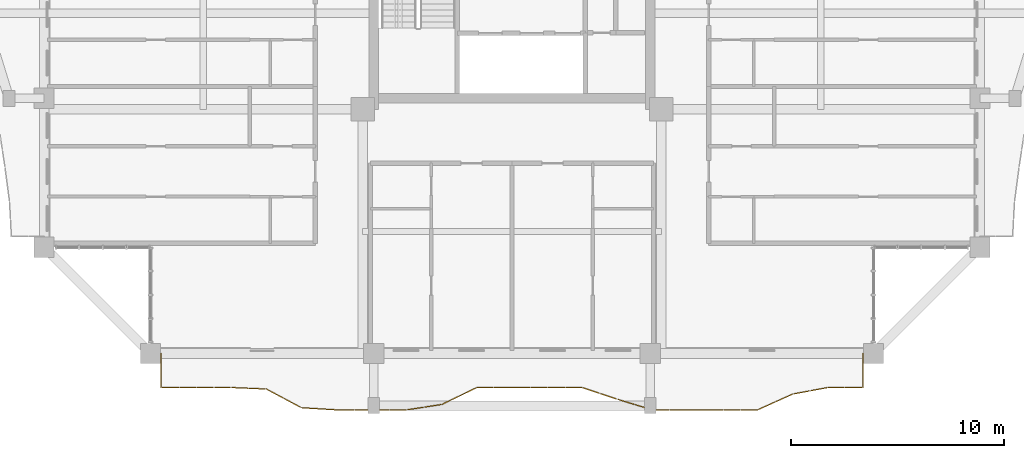
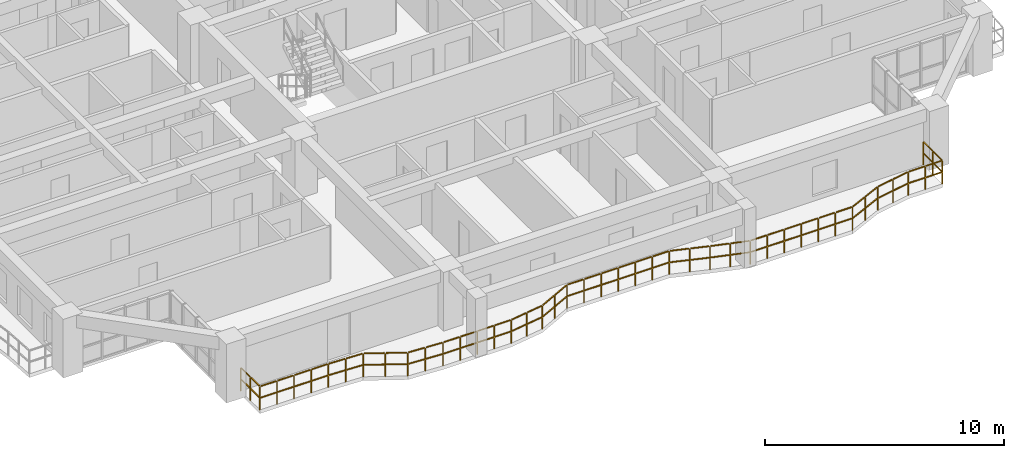
# One storey, part 19 of 23: 1 railing.
"""IFC4 building model written with IfcOpenShell, lengths in metres."""

from ifc_helpers import new_model, si_unit, direction, frame, origin, origin_2d, place, context, subcontext, project, spatial, rectangle, extrude, material, type_object, element, save


model = new_model("IFC4")

# Units and contexts
model_context = context("Model", 3, precision=1e-05, world=origin(), true_north=direction((0.0, 1.0)))
body_context = subcontext(model_context, "Body", "Model", "MODEL_VIEW")
ifc_project = project(units=[si_unit("LENGTHUNIT", "METRE"), si_unit("AREAUNIT", "SQUARE_METRE"), si_unit("VOLUMEUNIT", "CUBIC_METRE"), si_unit("PLANEANGLEUNIT", "RADIAN"), si_unit("MASSUNIT", "GRAM", prefix="KILO")], contexts=[model_context])

# Site, building, storey
site_placement = place(None, origin())
site = spatial("IfcSite", under=ifc_project, at=site_placement, CompositionType="ELEMENT")
building_placement = place(site_placement, origin())
building = spatial("IfcBuilding", under=site, at=building_placement, Name="Saelheon Loggia Tower", CompositionType="ELEMENT")
storey_placement = place(building_placement, frame((0.0, 0.0, 156.10009765625)))
storey = spatial("IfcBuildingStorey", under=building, at=storey_placement, Name="L49", CompositionType="ELEMENT", Elevation=156.10009765625)

# Railing
ifc_material = material(Name="Architectural Precast Concrete and Laminated Glass Guard", Category="concrete")
railing_type = type_object("IfcRailingType", Name="Guard_Loggia_RL_LOG", PredefinedType="BALUSTRADE", material=ifc_material)
railing_placement = place(storey_placement, frame((21.5, 6.0, 0.0)))
element("IfcRailing", 1, at=railing_placement, inside=storey, type_object=railing_type, Name="L49 South Loggia Balustrade", PredefinedType="BALUSTRADE", context=body_context, shape_type="SweptSolid", body=[
    extrude(rectangle(XDim=0.048095703125, YDim=0.048095703125, at=origin_2d()), frame((0.0, -0.033203125, 1.19580078125), z_axis=(0.0, -1.0, 0.0), x_axis=(1.0, 0.0, 0.0)), (0.0, 0.0, 1.0), 0.733642578125),
    extrude(rectangle(XDim=0.048095703125, YDim=0.048095703125, at=origin_2d()), frame((0.0, -0.033203125, 0.60986328125), z_axis=(0.0, -1.0, 0.0), x_axis=(1.0, 0.0, 0.0)), (0.0, 0.0, 1.0), 0.733642578125),
    extrude(rectangle(XDim=0.048095703125, YDim=0.048095703125, at=origin_2d()), frame((0.0, -0.833251953125, 1.19580078125), z_axis=(0.0, -1.0, 0.0), x_axis=(1.0, 0.0, 0.0)), (0.0, 0.0, 1.0), 0.733642578125),
    extrude(rectangle(XDim=0.048095703125, YDim=0.048095703125, at=origin_2d()), frame((0.0, -0.833251953125, 0.60986328125), z_axis=(0.0, -1.0, 0.0), x_axis=(1.0, 0.0, 0.0)), (0.0, 0.0, 1.0), 0.733642578125),
    extrude(rectangle(XDim=0.048095703125, YDim=0.048095703125, at=origin_2d()), frame((0.033203125, -1.60009765625, 1.19580078125), z_axis=(1.0, 0.0, 0.0), x_axis=(0.0, 1.0, 0.0)), (0.0, 0.0, 1.0), 0.758544921875),
    extrude(rectangle(XDim=0.048095703125, YDim=0.048095703125, at=origin_2d()), frame((0.033203125, -1.60009765625, 0.60986328125), z_axis=(1.0, 0.0, 0.0), x_axis=(0.0, 1.0, 0.0)), (0.0, 0.0, 1.0), 0.758544921875),
    extrude(rectangle(XDim=0.048095703125, YDim=0.048095703125, at=origin_2d()), frame((0.858154296875, -1.60009765625, 1.19580078125), z_axis=(1.0, 0.0, 0.0), x_axis=(0.0, 1.0, 0.0)), (0.0, 0.0, 1.0), 0.758544921875),
    extrude(rectangle(XDim=0.048095703125, YDim=0.048095703125, at=origin_2d()), frame((0.858154296875, -1.60009765625, 0.60986328125), z_axis=(1.0, 0.0, 0.0), x_axis=(0.0, 1.0, 0.0)), (0.0, 0.0, 1.0), 0.758544921875),
    extrude(rectangle(XDim=0.048095703125, YDim=0.048095703125, at=origin_2d()), frame((1.68310546875, -1.60009765625, 1.19580078125), z_axis=(1.0, 0.0, 0.0), x_axis=(0.0, 1.0, 0.0)), (0.0, 0.0, 1.0), 0.758544921875),
    extrude(rectangle(XDim=0.048095703125, YDim=0.048095703125, at=origin_2d()), frame((1.68310546875, -1.60009765625, 0.60986328125), z_axis=(1.0, 0.0, 0.0), x_axis=(0.0, 1.0, 0.0)), (0.0, 0.0, 1.0), 0.758544921875),
    extrude(rectangle(XDim=0.048095703125, YDim=0.048095703125, at=origin_2d()), frame((2.50830078125, -1.60009765625, 1.19580078125), z_axis=(1.0, 0.0, 0.0), x_axis=(0.0, 1.0, 0.0)), (0.0, 0.0, 1.0), 0.758544921875),
    extrude(rectangle(XDim=0.048095703125, YDim=0.048095703125, at=origin_2d()), frame((2.50830078125, -1.60009765625, 0.60986328125), z_axis=(1.0, 0.0, 0.0), x_axis=(0.0, 1.0, 0.0)), (0.0, 0.0, 1.0), 0.758544921875),
    extrude(rectangle(XDim=0.048095703125, YDim=0.048095703125, at=origin_2d()), frame((3.333251953125, -1.6015625, 1.19580078125), z_axis=(0.999067837233, -0.043167772784, 0.0), x_axis=(0.043167772784, 0.999067837233, 0.0)), (0.0, 0.0, 1.0), 0.75927734375),
    extrude(rectangle(XDim=0.048095703125, YDim=0.048095703125, at=origin_2d()), frame((3.333251953125, -1.6015625, 0.60986328125), z_axis=(0.999067837233, -0.043167772784, 0.0), x_axis=(0.043167772784, 0.999067837233, 0.0)), (0.0, 0.0, 1.0), 0.75927734375),
    extrude(rectangle(XDim=0.048095703125, YDim=0.048095703125, at=origin_2d()), frame((4.158203125, -1.63720703125, 1.19580078125), z_axis=(0.999067837233, -0.043167772784, 0.0), x_axis=(0.043167772784, 0.999067837233, 0.0)), (0.0, 0.0, 1.0), 0.75927734375),
    extrude(rectangle(XDim=0.048095703125, YDim=0.048095703125, at=origin_2d()), frame((4.158203125, -1.63720703125, 0.60986328125), z_axis=(0.999067837233, -0.043167772784, 0.0), x_axis=(0.043167772784, 0.999067837233, 0.0)), (0.0, 0.0, 1.0), 0.75927734375),
    extrude(rectangle(XDim=0.048095703125, YDim=0.048095703125, at=origin_2d()), frame((4.979248046875, -1.68701171875, 1.19580078125), z_axis=(0.882342099977, -0.470608561979, 0.0), x_axis=(0.470608561979, 0.882342099977, 0.0)), (0.0, 0.0, 1.0), 0.86865234375),
    extrude(rectangle(XDim=0.048095703125, YDim=0.048095703125, at=origin_2d()), frame((4.979248046875, -1.68701171875, 0.60986328125), z_axis=(0.882342099977, -0.470608561979, 0.0), x_axis=(0.470608561979, 0.882342099977, 0.0)), (0.0, 0.0, 1.0), 0.86865234375),
    extrude(rectangle(XDim=0.048095703125, YDim=0.048095703125, at=origin_2d()), frame((5.804443359375, -2.127197265625, 1.19580078125), z_axis=(0.882342099977, -0.470608561979, 0.0), x_axis=(0.470608561979, 0.882342099977, 0.0)), (0.0, 0.0, 1.0), 0.86865234375),
    extrude(rectangle(XDim=0.048095703125, YDim=0.048095703125, at=origin_2d()), frame((5.804443359375, -2.127197265625, 0.60986328125), z_axis=(0.882342099977, -0.470608561979, 0.0), x_axis=(0.470608561979, 0.882342099977, 0.0)), (0.0, 0.0, 1.0), 0.86865234375),
    extrude(rectangle(XDim=0.048095703125, YDim=0.048095703125, at=origin_2d()), frame((6.63330078125, -2.553466796875, 1.19580078125), z_axis=(0.998226679192, -0.059527279034, 0.0), x_axis=(0.059527279034, 0.998226679192, 0.0)), (0.0, 0.0, 1.0), 0.760009765625),
    extrude(rectangle(XDim=0.048095703125, YDim=0.048095703125, at=origin_2d()), frame((6.63330078125, -2.553466796875, 0.60986328125), z_axis=(0.998226679192, -0.059527279034, 0.0), x_axis=(0.059527279034, 0.998226679192, 0.0)), (0.0, 0.0, 1.0), 0.760009765625),
    extrude(rectangle(XDim=0.048095703125, YDim=0.048095703125, at=origin_2d()), frame((7.458251953125, -2.602783203125, 1.19580078125), z_axis=(0.998226679192, -0.059527279034, 0.0), x_axis=(0.059527279034, 0.998226679192, 0.0)), (0.0, 0.0, 1.0), 0.760009765625),
    extrude(rectangle(XDim=0.048095703125, YDim=0.048095703125, at=origin_2d()), frame((7.458251953125, -2.602783203125, 0.60986328125), z_axis=(0.998226679192, -0.059527279034, 0.0), x_axis=(0.059527279034, 0.998226679192, 0.0)), (0.0, 0.0, 1.0), 0.760009765625),
    extrude(rectangle(XDim=0.048095703125, YDim=0.048095703125, at=origin_2d()), frame((8.283203125, -2.64990234375, 1.19580078125), z_axis=(1.0, 0.0, 0.0), x_axis=(0.0, 1.0, 0.0)), (0.0, 0.0, 1.0), 0.758544921875),
    extrude(rectangle(XDim=0.048095703125, YDim=0.048095703125, at=origin_2d()), frame((8.283203125, -2.64990234375, 0.60986328125), z_axis=(1.0, 0.0, 0.0), x_axis=(0.0, 1.0, 0.0)), (0.0, 0.0, 1.0), 0.758544921875),
    extrude(rectangle(XDim=0.048095703125, YDim=0.048095703125, at=origin_2d()), frame((9.108154296875, -2.64990234375, 1.19580078125), z_axis=(1.0, 0.0, 0.0), x_axis=(0.0, 1.0, 0.0)), (0.0, 0.0, 1.0), 0.758544921875),
    extrude(rectangle(XDim=0.048095703125, YDim=0.048095703125, at=origin_2d()), frame((9.108154296875, -2.64990234375, 0.60986328125), z_axis=(1.0, 0.0, 0.0), x_axis=(0.0, 1.0, 0.0)), (0.0, 0.0, 1.0), 0.758544921875),
    extrude(rectangle(XDim=0.048095703125, YDim=0.048095703125, at=origin_2d()), frame((9.93310546875, -2.64990234375, 1.19580078125), z_axis=(1.0, 0.0, 0.0), x_axis=(0.0, 1.0, 0.0)), (0.0, 0.0, 1.0), 0.758544921875),
    extrude(rectangle(XDim=0.048095703125, YDim=0.048095703125, at=origin_2d()), frame((9.93310546875, -2.64990234375, 0.60986328125), z_axis=(1.0, 0.0, 0.0), x_axis=(0.0, 1.0, 0.0)), (0.0, 0.0, 1.0), 0.758544921875),
    extrude(rectangle(XDim=0.048095703125, YDim=0.048095703125, at=origin_2d()), frame((10.75830078125, -2.64990234375, 1.19580078125), z_axis=(1.0, 0.0, 0.0), x_axis=(0.0, 1.0, 0.0)), (0.0, 0.0, 1.0), 0.758544921875),
    extrude(rectangle(XDim=0.048095703125, YDim=0.048095703125, at=origin_2d()), frame((10.75830078125, -2.64990234375, 0.60986328125), z_axis=(1.0, 0.0, 0.0), x_axis=(0.0, 1.0, 0.0)), (0.0, 0.0, 1.0), 0.758544921875),
    extrude(rectangle(XDim=0.048095703125, YDim=0.048095703125, at=origin_2d()), frame((11.5830078125, -2.644775390625, 1.19580078125), z_axis=(0.988121896769, 0.153672109131, 0.0), x_axis=(-0.153672109131, 0.988121896769, 0.0)), (0.0, 0.0, 1.0), 0.768310546875),
    extrude(rectangle(XDim=0.048095703125, YDim=0.048095703125, at=origin_2d()), frame((11.5830078125, -2.644775390625, 0.60986328125), z_axis=(0.988121896769, 0.153672109131, 0.0), x_axis=(-0.153672109131, 0.988121896769, 0.0)), (0.0, 0.0, 1.0), 0.768310546875),
    extrude(rectangle(XDim=0.048095703125, YDim=0.048095703125, at=origin_2d()), frame((12.407958984375, -2.5166015625, 1.19580078125), z_axis=(0.988121896769, 0.153672109131, 0.0), x_axis=(-0.153672109131, 0.988121896769, 0.0)), (0.0, 0.0, 1.0), 0.768310546875),
    extrude(rectangle(XDim=0.048095703125, YDim=0.048095703125, at=origin_2d()), frame((12.407958984375, -2.5166015625, 0.60986328125), z_axis=(0.988121896769, 0.153672109131, 0.0), x_axis=(-0.153672109131, 0.988121896769, 0.0)), (0.0, 0.0, 1.0), 0.768310546875),
    extrude(rectangle(XDim=0.048095703125, YDim=0.048095703125, at=origin_2d()), frame((13.22998046875, -2.37890625, 1.19580078125), z_axis=(0.9012794603, 0.433238195963, 0.0), x_axis=(-0.433238195963, 0.9012794603, 0.0)), (0.0, 0.0, 1.0), 0.848876953125),
    extrude(rectangle(XDim=0.048095703125, YDim=0.048095703125, at=origin_2d()), frame((13.22998046875, -2.37890625, 0.60986328125), z_axis=(0.9012794603, 0.433238195963, 0.0), x_axis=(-0.433238195963, 0.9012794603, 0.0)), (0.0, 0.0, 1.0), 0.848876953125),
    extrude(rectangle(XDim=0.048095703125, YDim=0.048095703125, at=origin_2d()), frame((14.054931640625, -1.982421875, 1.19580078125), z_axis=(0.9012794603, 0.433238195963, 0.0), x_axis=(-0.433238195963, 0.9012794603, 0.0)), (0.0, 0.0, 1.0), 0.848876953125),
    extrude(rectangle(XDim=0.048095703125, YDim=0.048095703125, at=origin_2d()), frame((14.054931640625, -1.982421875, 0.60986328125), z_axis=(0.9012794603, 0.433238195963, 0.0), x_axis=(-0.433238195963, 0.9012794603, 0.0)), (0.0, 0.0, 1.0), 0.848876953125),
    extrude(rectangle(XDim=0.048095703125, YDim=0.048095703125, at=origin_2d()), frame((14.88330078125, -1.60009765625, 1.19580078125), z_axis=(1.0, 0.0, 0.0), x_axis=(0.0, 1.0, 0.0)), (0.0, 0.0, 1.0), 0.758544921875),
    extrude(rectangle(XDim=0.048095703125, YDim=0.048095703125, at=origin_2d()), frame((14.88330078125, -1.60009765625, 0.60986328125), z_axis=(1.0, 0.0, 0.0), x_axis=(0.0, 1.0, 0.0)), (0.0, 0.0, 1.0), 0.758544921875),
    extrude(rectangle(XDim=0.048095703125, YDim=0.048095703125, at=origin_2d()), frame((15.708251953125, -1.60009765625, 1.19580078125), z_axis=(1.0, 0.0, 0.0), x_axis=(0.0, 1.0, 0.0)), (0.0, 0.0, 1.0), 0.758544921875),
    extrude(rectangle(XDim=0.048095703125, YDim=0.048095703125, at=origin_2d()), frame((15.708251953125, -1.60009765625, 0.60986328125), z_axis=(1.0, 0.0, 0.0), x_axis=(0.0, 1.0, 0.0)), (0.0, 0.0, 1.0), 0.758544921875),
    extrude(rectangle(XDim=0.048095703125, YDim=0.048095703125, at=origin_2d()), frame((16.533203125, -1.60009765625, 1.19580078125), z_axis=(1.0, 0.0, 0.0), x_axis=(0.0, 1.0, 0.0)), (0.0, 0.0, 1.0), 0.758544921875),
    extrude(rectangle(XDim=0.048095703125, YDim=0.048095703125, at=origin_2d()), frame((16.533203125, -1.60009765625, 0.60986328125), z_axis=(1.0, 0.0, 0.0), x_axis=(0.0, 1.0, 0.0)), (0.0, 0.0, 1.0), 0.758544921875),
    extrude(rectangle(XDim=0.048095703125, YDim=0.048095703125, at=origin_2d()), frame((17.358154296875, -1.60009765625, 1.19580078125), z_axis=(1.0, 0.0, 0.0), x_axis=(0.0, 1.0, 0.0)), (0.0, 0.0, 1.0), 0.758544921875),
    extrude(rectangle(XDim=0.048095703125, YDim=0.048095703125, at=origin_2d()), frame((17.358154296875, -1.60009765625, 0.60986328125), z_axis=(1.0, 0.0, 0.0), x_axis=(0.0, 1.0, 0.0)), (0.0, 0.0, 1.0), 0.758544921875),
    extrude(rectangle(XDim=0.048095703125, YDim=0.048095703125, at=origin_2d()), frame((18.18310546875, -1.60009765625, 1.19580078125), z_axis=(1.0, 0.0, 0.0), x_axis=(0.0, 1.0, 0.0)), (0.0, 0.0, 1.0), 0.758544921875),
    extrude(rectangle(XDim=0.048095703125, YDim=0.048095703125, at=origin_2d()), frame((18.18310546875, -1.60009765625, 0.60986328125), z_axis=(1.0, 0.0, 0.0), x_axis=(0.0, 1.0, 0.0)), (0.0, 0.0, 1.0), 0.758544921875),
    extrude(rectangle(XDim=0.048095703125, YDim=0.048095703125, at=origin_2d()), frame((19.00830078125, -1.60009765625, 1.19580078125), z_axis=(1.0, 0.0, 0.0), x_axis=(0.0, 1.0, 0.0)), (0.0, 0.0, 1.0), 0.758544921875),
    extrude(rectangle(XDim=0.048095703125, YDim=0.048095703125, at=origin_2d()), frame((19.00830078125, -1.60009765625, 0.60986328125), z_axis=(1.0, 0.0, 0.0), x_axis=(0.0, 1.0, 0.0)), (0.0, 0.0, 1.0), 0.758544921875),
    extrude(rectangle(XDim=0.048095703125, YDim=0.048095703125, at=origin_2d()), frame((19.83154296875, -1.610595703125, 1.19580078125), z_axis=(0.948711371002, -0.316143534699, 0.0), x_axis=(0.316143534699, 0.948711371002, 0.0)), (0.0, 0.0, 1.0), 0.802978515625),
    extrude(rectangle(XDim=0.048095703125, YDim=0.048095703125, at=origin_2d()), frame((19.83154296875, -1.610595703125, 0.60986328125), z_axis=(0.948711371002, -0.316143534699, 0.0), x_axis=(0.316143534699, 0.948711371002, 0.0)), (0.0, 0.0, 1.0), 0.802978515625),
    extrude(rectangle(XDim=0.048095703125, YDim=0.048095703125, at=origin_2d()), frame((20.656494140625, -1.885498046875, 1.19580078125), z_axis=(0.948711371002, -0.316143534699, 0.0), x_axis=(0.316143534699, 0.948711371002, 0.0)), (0.0, 0.0, 1.0), 0.802978515625),
    extrude(rectangle(XDim=0.048095703125, YDim=0.048095703125, at=origin_2d()), frame((20.656494140625, -1.885498046875, 0.60986328125), z_axis=(0.948711371002, -0.316143534699, 0.0), x_axis=(0.316143534699, 0.948711371002, 0.0)), (0.0, 0.0, 1.0), 0.802978515625),
    extrude(rectangle(XDim=0.048095703125, YDim=0.048095703125, at=origin_2d()), frame((21.481689453125, -2.159423828125, 1.19580078125), z_axis=(0.957031549324, -0.289983816099, 0.0), x_axis=(0.289983816099, 0.957031549324, 0.0)), (0.0, 0.0, 1.0), 0.795654296875),
    extrude(rectangle(XDim=0.048095703125, YDim=0.048095703125, at=origin_2d()), frame((21.481689453125, -2.159423828125, 0.60986328125), z_axis=(0.957031549324, -0.289983816099, 0.0), x_axis=(0.289983816099, 0.957031549324, 0.0)), (0.0, 0.0, 1.0), 0.795654296875),
    extrude(rectangle(XDim=0.048095703125, YDim=0.048095703125, at=origin_2d()), frame((22.306884765625, -2.409423828125, 1.19580078125), z_axis=(0.957031549324, -0.289983816099, 0.0), x_axis=(0.289983816099, 0.957031549324, 0.0)), (0.0, 0.0, 1.0), 0.795654296875),
    extrude(rectangle(XDim=0.048095703125, YDim=0.048095703125, at=origin_2d()), frame((22.306884765625, -2.409423828125, 0.60986328125), z_axis=(0.957031549324, -0.289983816099, 0.0), x_axis=(0.289983816099, 0.957031549324, 0.0)), (0.0, 0.0, 1.0), 0.795654296875),
    extrude(rectangle(XDim=0.048095703125, YDim=0.048095703125, at=origin_2d()), frame((23.13330078125, -2.64990234375, 1.19580078125), z_axis=(1.0, 0.0, 0.0), x_axis=(0.0, 1.0, 0.0)), (0.0, 0.0, 1.0), 0.758544921875),
    extrude(rectangle(XDim=0.048095703125, YDim=0.048095703125, at=origin_2d()), frame((23.13330078125, -2.64990234375, 0.60986328125), z_axis=(1.0, 0.0, 0.0), x_axis=(0.0, 1.0, 0.0)), (0.0, 0.0, 1.0), 0.758544921875),
    extrude(rectangle(XDim=0.048095703125, YDim=0.048095703125, at=origin_2d()), frame((23.958251953125, -2.64990234375, 1.19580078125), z_axis=(1.0, 0.0, 0.0), x_axis=(0.0, 1.0, 0.0)), (0.0, 0.0, 1.0), 0.758544921875),
    extrude(rectangle(XDim=0.048095703125, YDim=0.048095703125, at=origin_2d()), frame((23.958251953125, -2.64990234375, 0.60986328125), z_axis=(1.0, 0.0, 0.0), x_axis=(0.0, 1.0, 0.0)), (0.0, 0.0, 1.0), 0.758544921875),
    extrude(rectangle(XDim=0.048095703125, YDim=0.048095703125, at=origin_2d()), frame((24.783203125, -2.64990234375, 1.19580078125), z_axis=(1.0, 0.0, 0.0), x_axis=(0.0, 1.0, 0.0)), (0.0, 0.0, 1.0), 0.758544921875),
    extrude(rectangle(XDim=0.048095703125, YDim=0.048095703125, at=origin_2d()), frame((24.783203125, -2.64990234375, 0.60986328125), z_axis=(1.0, 0.0, 0.0), x_axis=(0.0, 1.0, 0.0)), (0.0, 0.0, 1.0), 0.758544921875),
    extrude(rectangle(XDim=0.048095703125, YDim=0.048095703125, at=origin_2d()), frame((25.608154296875, -2.64990234375, 1.19580078125), z_axis=(1.0, 0.0, 0.0), x_axis=(0.0, 1.0, 0.0)), (0.0, 0.0, 1.0), 0.758544921875),
    extrude(rectangle(XDim=0.048095703125, YDim=0.048095703125, at=origin_2d()), frame((25.608154296875, -2.64990234375, 0.60986328125), z_axis=(1.0, 0.0, 0.0), x_axis=(0.0, 1.0, 0.0)), (0.0, 0.0, 1.0), 0.758544921875),
    extrude(rectangle(XDim=0.048095703125, YDim=0.048095703125, at=origin_2d()), frame((26.43310546875, -2.64990234375, 1.19580078125), z_axis=(1.0, 0.0, 0.0), x_axis=(0.0, 1.0, 0.0)), (0.0, 0.0, 1.0), 0.758544921875),
    extrude(rectangle(XDim=0.048095703125, YDim=0.048095703125, at=origin_2d()), frame((26.43310546875, -2.64990234375, 0.60986328125), z_axis=(1.0, 0.0, 0.0), x_axis=(0.0, 1.0, 0.0)), (0.0, 0.0, 1.0), 0.758544921875),
    extrude(rectangle(XDim=0.048095703125, YDim=0.048095703125, at=origin_2d()), frame((27.25830078125, -2.64990234375, 1.19580078125), z_axis=(1.0, 0.0, 0.0), x_axis=(0.0, 1.0, 0.0)), (0.0, 0.0, 1.0), 0.758544921875),
    extrude(rectangle(XDim=0.048095703125, YDim=0.048095703125, at=origin_2d()), frame((27.25830078125, -2.64990234375, 0.60986328125), z_axis=(1.0, 0.0, 0.0), x_axis=(0.0, 1.0, 0.0)), (0.0, 0.0, 1.0), 0.758544921875),
    extrude(rectangle(XDim=0.048095703125, YDim=0.048095703125, at=origin_2d()), frame((28.080322265625, -2.63623046875, 1.19580078125), z_axis=(0.911775028972, 0.410690024888, 0.0), x_axis=(-0.410690024888, 0.911775028972, 0.0)), (0.0, 0.0, 1.0), 0.83837890625),
    extrude(rectangle(XDim=0.048095703125, YDim=0.048095703125, at=origin_2d()), frame((28.080322265625, -2.63623046875, 0.60986328125), z_axis=(0.911775028972, 0.410690024888, 0.0), x_axis=(-0.410690024888, 0.911775028972, 0.0)), (0.0, 0.0, 1.0), 0.83837890625),
    extrude(rectangle(XDim=0.048095703125, YDim=0.048095703125, at=origin_2d()), frame((28.9052734375, -2.2646484375, 1.19580078125), z_axis=(0.911775028972, 0.410690024888, 0.0), x_axis=(-0.410690024888, 0.911775028972, 0.0)), (0.0, 0.0, 1.0), 0.83837890625),
    extrude(rectangle(XDim=0.048095703125, YDim=0.048095703125, at=origin_2d()), frame((28.9052734375, -2.2646484375, 0.60986328125), z_axis=(0.911775028972, 0.410690024888, 0.0), x_axis=(-0.410690024888, 0.911775028972, 0.0)), (0.0, 0.0, 1.0), 0.83837890625),
    extrude(rectangle(XDim=0.048095703125, YDim=0.048095703125, at=origin_2d()), frame((29.732666015625, -1.900634765625, 1.19580078125), z_axis=(0.983168958675, 0.182698655437, 0.0), x_axis=(-0.182698655437, 0.983168958675, 0.0)), (0.0, 0.0, 1.0), 0.772705078125),
    extrude(rectangle(XDim=0.048095703125, YDim=0.048095703125, at=origin_2d()), frame((29.732666015625, -1.900634765625, 0.60986328125), z_axis=(0.983168958675, 0.182698655437, 0.0), x_axis=(-0.182698655437, 0.983168958675, 0.0)), (0.0, 0.0, 1.0), 0.772705078125),
    extrude(rectangle(XDim=0.048095703125, YDim=0.048095703125, at=origin_2d()), frame((30.5576171875, -1.747314453125, 1.19580078125), z_axis=(0.983168958675, 0.182698655437, 0.0), x_axis=(-0.182698655437, 0.983168958675, 0.0)), (0.0, 0.0, 1.0), 0.772705078125),
    extrude(rectangle(XDim=0.048095703125, YDim=0.048095703125, at=origin_2d()), frame((30.5576171875, -1.747314453125, 0.60986328125), z_axis=(0.983168958675, 0.182698655437, 0.0), x_axis=(-0.182698655437, 0.983168958675, 0.0)), (0.0, 0.0, 1.0), 0.772705078125),
    extrude(rectangle(XDim=0.048095703125, YDim=0.048095703125, at=origin_2d()), frame((31.38330078125, -1.60009765625, 1.19580078125), z_axis=(1.0, 0.0, 0.0), x_axis=(0.0, 1.0, 0.0)), (0.0, 0.0, 1.0), 0.758544921875),
    extrude(rectangle(XDim=0.048095703125, YDim=0.048095703125, at=origin_2d()), frame((31.38330078125, -1.60009765625, 0.60986328125), z_axis=(1.0, 0.0, 0.0), x_axis=(0.0, 1.0, 0.0)), (0.0, 0.0, 1.0), 0.758544921875),
    extrude(rectangle(XDim=0.048095703125, YDim=0.048095703125, at=origin_2d()), frame((32.208251953125, -1.60009765625, 1.19580078125), z_axis=(1.0, 0.0, 0.0), x_axis=(0.0, 1.0, 0.0)), (0.0, 0.0, 1.0), 0.758544921875),
    extrude(rectangle(XDim=0.048095703125, YDim=0.048095703125, at=origin_2d()), frame((32.208251953125, -1.60009765625, 0.60986328125), z_axis=(1.0, 0.0, 0.0), x_axis=(0.0, 1.0, 0.0)), (0.0, 0.0, 1.0), 0.758544921875),
    extrude(rectangle(XDim=0.048095703125, YDim=0.048095703125, at=origin_2d()), frame((33.0, -1.56689453125, 1.19580078125), z_axis=(0.0, 1.0, 0.0), x_axis=(-1.0, 0.0, 0.0)), (0.0, 0.0, 1.0), 0.733642578125),
    extrude(rectangle(XDim=0.048095703125, YDim=0.048095703125, at=origin_2d()), frame((33.0, -1.56689453125, 0.60986328125), z_axis=(0.0, 1.0, 0.0), x_axis=(-1.0, 0.0, 0.0)), (0.0, 0.0, 1.0), 0.733642578125),
    extrude(rectangle(XDim=0.048095703125, YDim=0.048095703125, at=origin_2d()), frame((33.0, -0.766845703125, 1.19580078125), z_axis=(0.0, 1.0, 0.0), x_axis=(-1.0, 0.0, 0.0)), (0.0, 0.0, 1.0), 0.733642578125),
    extrude(rectangle(XDim=0.048095703125, YDim=0.048095703125, at=origin_2d()), frame((33.0, -0.766845703125, 0.60986328125), z_axis=(0.0, 1.0, 0.0), x_axis=(-1.0, 0.0, 0.0)), (0.0, 0.0, 1.0), 0.733642578125),
    extrude(rectangle(XDim=0.0419921875, YDim=0.0419921875, at=origin_2d()), origin(), (0.0, 0.0, 1.0), 1.16796875),
    extrude(rectangle(XDim=0.0419921875, YDim=0.0419921875, at=origin_2d()), frame((0.0, -0.800048828125, 0.0)), (0.0, 0.0, 1.0), 1.16796875),
    extrude(rectangle(XDim=0.0419921875, YDim=0.0419921875, at=origin_2d()), frame((0.0, -1.60009765625, 0.0)), (0.0, 0.0, 1.0), 1.16796875),
    extrude(rectangle(XDim=0.0419921875, YDim=0.0419921875, at=origin_2d()), frame((0.824951171875, -1.60009765625, 0.0)), (0.0, 0.0, 1.0), 1.16796875),
    extrude(rectangle(XDim=0.0419921875, YDim=0.0419921875, at=origin_2d()), frame((1.64990234375, -1.60009765625, 0.0)), (0.0, 0.0, 1.0), 1.16796875),
    extrude(rectangle(XDim=0.0419921875, YDim=0.0419921875, at=origin_2d()), frame((2.47509765625, -1.60009765625, 0.0)), (0.0, 0.0, 1.0), 1.16796875),
    extrude(rectangle(XDim=0.0419921875, YDim=0.0419921875, at=origin_2d()), frame((3.300048828125, -1.60009765625, 0.0)), (0.0, 0.0, 1.0), 1.16796875),
    extrude(rectangle(XDim=0.0419921875, YDim=0.0419921875, at=origin_2d()), frame((4.125, -1.6357421875, 0.0)), (0.0, 0.0, 1.0), 1.16796875),
    extrude(rectangle(XDim=0.0419921875, YDim=0.0419921875, at=origin_2d()), frame((4.949951171875, -1.67138671875, 0.0)), (0.0, 0.0, 1.0), 1.16796875),
    extrude(rectangle(XDim=0.0419921875, YDim=0.0419921875, at=origin_2d()), frame((5.77490234375, -2.111328125, 0.0)), (0.0, 0.0, 1.0), 1.16796875),
    extrude(rectangle(XDim=0.0419921875, YDim=0.0419921875, at=origin_2d()), frame((6.60009765625, -2.551513671875, 0.0)), (0.0, 0.0, 1.0), 1.16796875),
    extrude(rectangle(XDim=0.0419921875, YDim=0.0419921875, at=origin_2d()), frame((7.425048828125, -2.6005859375, 0.0)), (0.0, 0.0, 1.0), 1.16796875),
    extrude(rectangle(XDim=0.0419921875, YDim=0.0419921875, at=origin_2d()), frame((8.25, -2.64990234375, 0.0)), (0.0, 0.0, 1.0), 1.16796875),
    extrude(rectangle(XDim=0.0419921875, YDim=0.0419921875, at=origin_2d()), frame((9.074951171875, -2.64990234375, 0.0)), (0.0, 0.0, 1.0), 1.16796875),
    extrude(rectangle(XDim=0.0419921875, YDim=0.0419921875, at=origin_2d()), frame((9.89990234375, -2.64990234375, 0.0)), (0.0, 0.0, 1.0), 1.16796875),
    extrude(rectangle(XDim=0.0419921875, YDim=0.0419921875, at=origin_2d()), frame((10.72509765625, -2.64990234375, 0.0)), (0.0, 0.0, 1.0), 1.16796875),
    extrude(rectangle(XDim=0.0419921875, YDim=0.0419921875, at=origin_2d()), frame((11.550048828125, -2.64990234375, 0.0)), (0.0, 0.0, 1.0), 1.16796875),
    extrude(rectangle(XDim=0.0419921875, YDim=0.0419921875, at=origin_2d()), frame((12.375, -2.521484375, 0.0)), (0.0, 0.0, 1.0), 1.16796875),
    extrude(rectangle(XDim=0.0419921875, YDim=0.0419921875, at=origin_2d()), frame((13.199951171875, -2.393310546875, 0.0)), (0.0, 0.0, 1.0), 1.16796875),
    extrude(rectangle(XDim=0.0419921875, YDim=0.0419921875, at=origin_2d()), frame((14.02490234375, -1.99658203125, 0.0)), (0.0, 0.0, 1.0), 1.16796875),
    extrude(rectangle(XDim=0.0419921875, YDim=0.0419921875, at=origin_2d()), frame((14.85009765625, -1.60009765625, 0.0)), (0.0, 0.0, 1.0), 1.16796875),
    extrude(rectangle(XDim=0.0419921875, YDim=0.0419921875, at=origin_2d()), frame((15.675048828125, -1.60009765625, 0.0)), (0.0, 0.0, 1.0), 1.16796875),
    extrude(rectangle(XDim=0.0419921875, YDim=0.0419921875, at=origin_2d()), frame((16.5, -1.60009765625, 0.0)), (0.0, 0.0, 1.0), 1.16796875),
    extrude(rectangle(XDim=0.0419921875, YDim=0.0419921875, at=origin_2d()), frame((17.324951171875, -1.60009765625, 0.0)), (0.0, 0.0, 1.0), 1.16796875),
    extrude(rectangle(XDim=0.0419921875, YDim=0.0419921875, at=origin_2d()), frame((18.14990234375, -1.60009765625, 0.0)), (0.0, 0.0, 1.0), 1.16796875),
    extrude(rectangle(XDim=0.0419921875, YDim=0.0419921875, at=origin_2d()), frame((18.97509765625, -1.60009765625, 0.0)), (0.0, 0.0, 1.0), 1.16796875),
    extrude(rectangle(XDim=0.0419921875, YDim=0.0419921875, at=origin_2d()), frame((19.800048828125, -1.60009765625, 0.0)), (0.0, 0.0, 1.0), 1.16796875),
    extrude(rectangle(XDim=0.0419921875, YDim=0.0419921875, at=origin_2d()), frame((20.625, -1.875, 0.0)), (0.0, 0.0, 1.0), 1.16796875),
    extrude(rectangle(XDim=0.0419921875, YDim=0.0419921875, at=origin_2d()), frame((21.449951171875, -2.14990234375, 0.0)), (0.0, 0.0, 1.0), 1.16796875),
    extrude(rectangle(XDim=0.0419921875, YDim=0.0419921875, at=origin_2d()), frame((22.27490234375, -2.39990234375, 0.0)), (0.0, 0.0, 1.0), 1.16796875),
    extrude(rectangle(XDim=0.0419921875, YDim=0.0419921875, at=origin_2d()), frame((23.10009765625, -2.64990234375, 0.0)), (0.0, 0.0, 1.0), 1.16796875),
    extrude(rectangle(XDim=0.0419921875, YDim=0.0419921875, at=origin_2d()), frame((23.925048828125, -2.64990234375, 0.0)), (0.0, 0.0, 1.0), 1.16796875),
    extrude(rectangle(XDim=0.0419921875, YDim=0.0419921875, at=origin_2d()), frame((24.75, -2.64990234375, 0.0)), (0.0, 0.0, 1.0), 1.16796875),
    extrude(rectangle(XDim=0.0419921875, YDim=0.0419921875, at=origin_2d()), frame((25.574951171875, -2.64990234375, 0.0)), (0.0, 0.0, 1.0), 1.16796875),
    extrude(rectangle(XDim=0.0419921875, YDim=0.0419921875, at=origin_2d()), frame((26.39990234375, -2.64990234375, 0.0)), (0.0, 0.0, 1.0), 1.16796875),
    extrude(rectangle(XDim=0.0419921875, YDim=0.0419921875, at=origin_2d()), frame((27.22509765625, -2.64990234375, 0.0)), (0.0, 0.0, 1.0), 1.16796875),
    extrude(rectangle(XDim=0.0419921875, YDim=0.0419921875, at=origin_2d()), frame((28.050048828125, -2.64990234375, 0.0)), (0.0, 0.0, 1.0), 1.16796875),
    extrude(rectangle(XDim=0.0419921875, YDim=0.0419921875, at=origin_2d()), frame((28.875, -2.2783203125, 0.0)), (0.0, 0.0, 1.0), 1.16796875),
    extrude(rectangle(XDim=0.0419921875, YDim=0.0419921875, at=origin_2d()), frame((29.699951171875, -1.90673828125, 0.0)), (0.0, 0.0, 1.0), 1.16796875),
    extrude(rectangle(XDim=0.0419921875, YDim=0.0419921875, at=origin_2d()), frame((30.52490234375, -1.75341796875, 0.0)), (0.0, 0.0, 1.0), 1.16796875),
    extrude(rectangle(XDim=0.0419921875, YDim=0.0419921875, at=origin_2d()), frame((31.35009765625, -1.60009765625, 0.0)), (0.0, 0.0, 1.0), 1.16796875),
    extrude(rectangle(XDim=0.0419921875, YDim=0.0419921875, at=origin_2d()), frame((32.175048828125, -1.60009765625, 0.0)), (0.0, 0.0, 1.0), 1.16796875),
    extrude(rectangle(XDim=0.0419921875, YDim=0.0419921875, at=origin_2d()), frame((33.0, -1.60009765625, 0.0)), (0.0, 0.0, 1.0), 1.16796875),
    extrude(rectangle(XDim=0.0419921875, YDim=0.0419921875, at=origin_2d()), frame((33.0, -0.800048828125, 0.0)), (0.0, 0.0, 1.0), 1.16796875),
    extrude(rectangle(XDim=0.0419921875, YDim=0.0419921875, at=origin_2d()), frame((33.0, 0.0, 0.0)), (0.0, 0.0, 1.0), 1.16796875),
])

save(model, "model.ifc")
